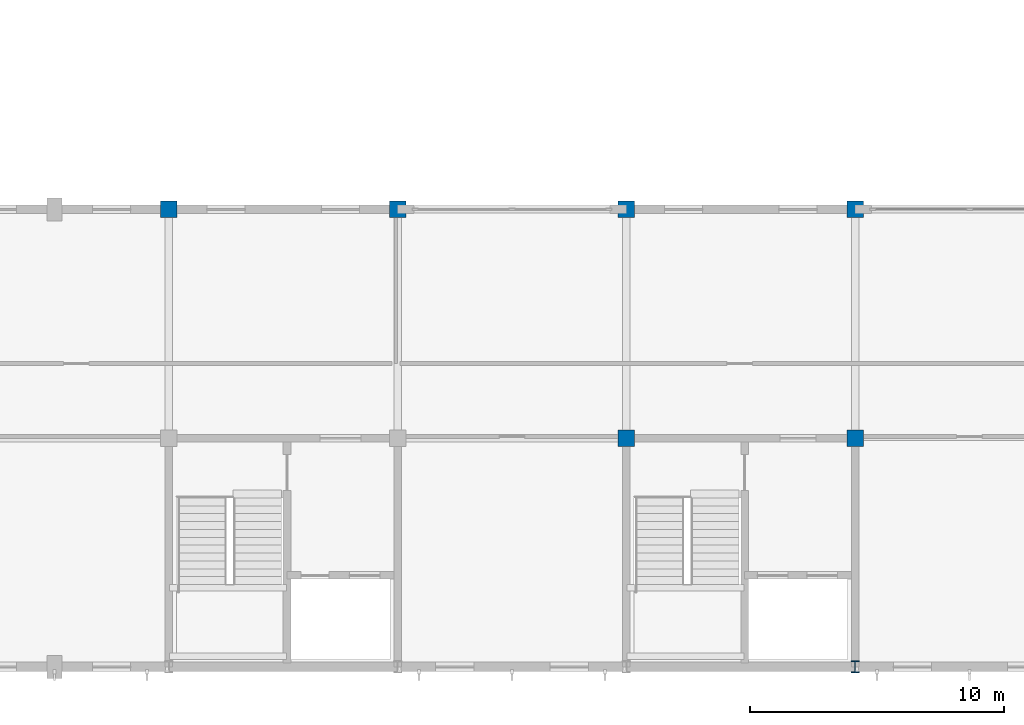
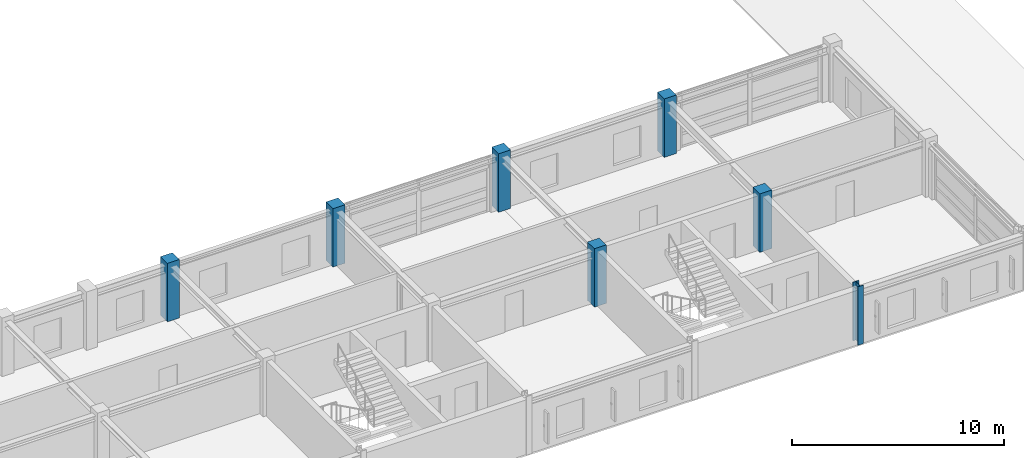
# One storey, part 2 of 91: 7 columns.
"""IFC4 building model written with IfcOpenShell, lengths in metres."""

from ifc_helpers import new_model, si_unit, direction, frame, origin, origin_2d, place, context, subcontext, project, spatial, rectangle, i_section, extrude, material, material_profile, profile_set, type_object, element, save


model = new_model("IFC4")

# Units and contexts
model_context = context("Model", 3, precision=1e-05, world=origin(), true_north=direction((0.0, 1.0)))
body_context = subcontext(model_context, "Body", "Model", "MODEL_VIEW")
ifc_project = project(units=[si_unit("LENGTHUNIT", "METRE"), si_unit("AREAUNIT", "SQUARE_METRE"), si_unit("VOLUMEUNIT", "CUBIC_METRE"), si_unit("PLANEANGLEUNIT", "RADIAN"), si_unit("MASSUNIT", "GRAM", prefix="KILO")], contexts=[model_context])

# Site, building, storey
site_placement = place(None, origin())
site = spatial("IfcSite", under=ifc_project, at=site_placement, CompositionType="ELEMENT")
building_placement = place(site_placement, origin())
building = spatial("IfcBuilding", under=site, at=building_placement, Name="Palais des Congres Ocreval", CompositionType="ELEMENT")
storey_placement = place(building_placement, frame((0.0, 0.0, 8.159912109375)))
storey = spatial("IfcBuildingStorey", under=building, at=storey_placement, Name="L02", CompositionType="ELEMENT", Elevation=8.159912109375)

# Columns
ifc_material_1 = material(Name="Steel S355", Category="steel")
ifc_material_profile_1 = material_profile(ifc_material_1, i_section(OverallWidth=0.306884765625, OverallDepth=0.47802734375, WebThickness=0.02099609375, FlangeThickness=0.0400390625, at=origin_2d()), Name="HEM 450")
ifc_profile_set_1 = profile_set([ifc_material_profile_1], Name="Steel S355")
column_type_1 = type_object("IfcColumnType", Name="Column HEM 450 Steel S355", PredefinedType="COLUMN", material=ifc_profile_set_1)
column_placement = place(storey_placement, frame((63.0, 0.0, 0.0), z_axis=(0.0, 0.0, 1.0), x_axis=(1.0, 0.0, 0.0)))
element("IfcColumn", 1, at=column_placement, inside=storey, type_object=column_type_1, Name="Column C06 L02", PredefinedType="COLUMN", context=body_context, shape_type="SweptSolid", body=[
    extrude(i_section(OverallWidth=0.306884765625, OverallDepth=0.47802734375, WebThickness=0.02099609375, FlangeThickness=0.0400390625, at=origin_2d()), origin(), (0.0, 0.0, 1.0), 3.360107421875),
])
ifc_material_2 = material(Name="Concrete C40/50", Category="concrete")
ifc_material_profile_2 = material_profile(ifc_material_2, rectangle(XDim=0.64990234375, YDim=0.64990234375, at=origin_2d()), Name="RC 650x650")
ifc_profile_set_2 = profile_set([ifc_material_profile_2], Name="Concrete C40/50")
column_type_2 = type_object("IfcColumnType", Name="Column RC 650x650 Concrete C40/50", PredefinedType="COLUMN", material=ifc_profile_set_2)
for number, where, z_axis, x_axis, name in (
    (2, (36.0, 18.0, 0.0), (0.0, 0.0, 1.0), (1.0, 0.0, 0.0), "Column C23 L02"),
    (3, (45.0, 18.0, 0.0), (0.0, 0.0, 1.0), (1.0, 0.0, 0.0), "Column C23 L02"),
    (4, (54.0, 9.0, 0.0), (0.0, 0.0, 1.0), (1.0, 0.0, 0.0), "Column C23 L02"),
    (5, (54.0, 18.0, 0.0), (0.0, 0.0, 1.0), (1.0, 0.0, 0.0), "Column C23 L02"),
    (6, (63.0, 9.0, 0.0), (0.0, 0.0, 1.0), (1.0, 0.0, 0.0), "Column C23 L02"),
    (7, (63.0, 18.0, 0.0), (0.0, 0.0, 1.0), (1.0, 0.0, 0.0), "Column C23 L02"),
):
    element("IfcColumn", number, at=place(storey_placement, frame(where, z_axis=z_axis, x_axis=x_axis)), inside=storey, type_object=column_type_2, Name=name, PredefinedType="COLUMN", context=body_context, shape_type="SweptSolid", body=[
        extrude(rectangle(XDim=0.64990234375, YDim=0.64990234375, at=origin_2d()), origin(), (0.0, 0.0, 1.0), 3.360107421875),
    ])

save(model, "model.ifc")
